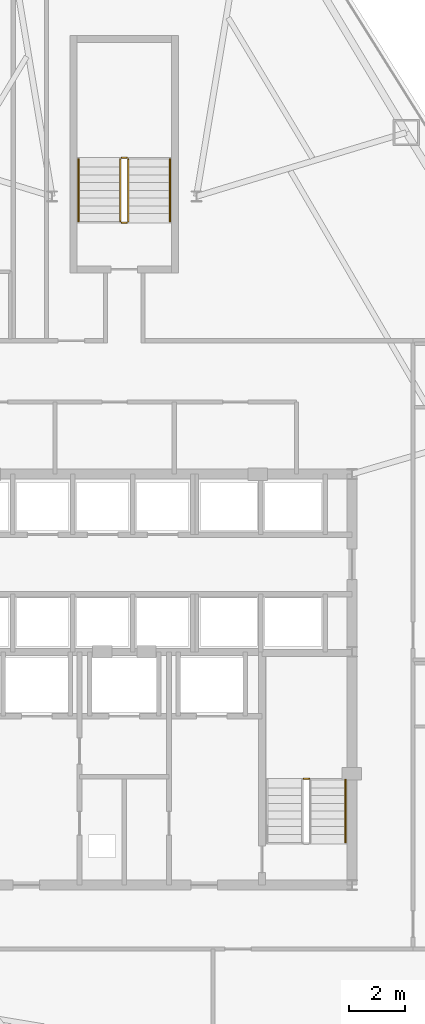
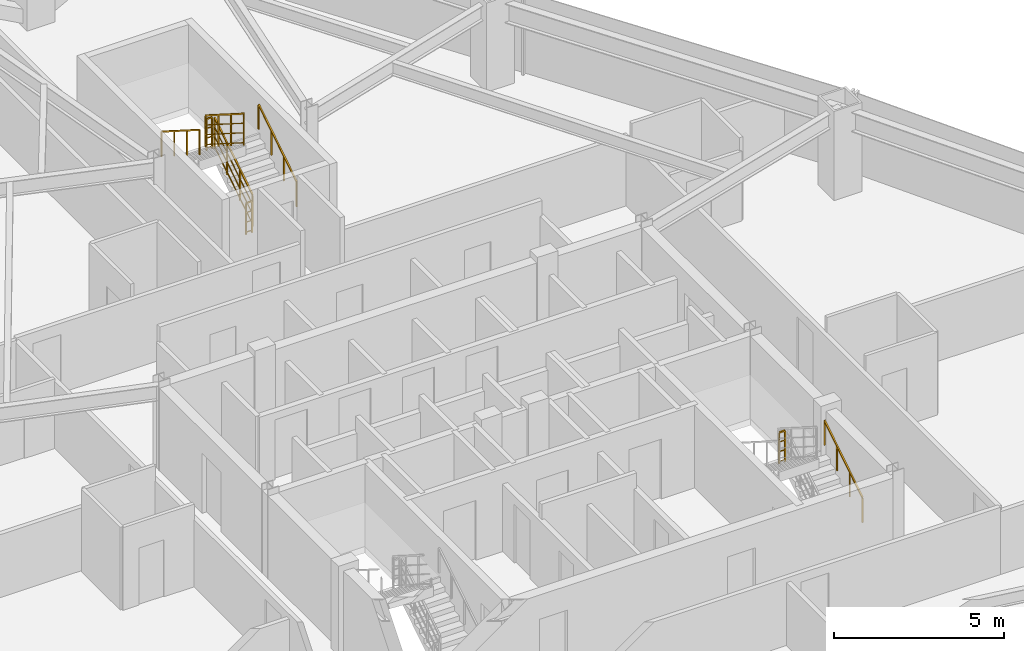
# One storey, part 13 of 13: 8 railings.
"""IFC4 building model written with IfcOpenShell, lengths in metres."""

from ifc_helpers import new_model, si_unit, direction, frame, origin, origin_2d, place, context, subcontext, project, spatial, rectangle, extrude, material, type_object, element, save


model = new_model("IFC4")

# Units and contexts
model_context = context("Model", 3, precision=1e-05, world=origin(), true_north=direction((0.0, 1.0)))
body_context = subcontext(model_context, "Body", "Model", "MODEL_VIEW")
ifc_project = project(units=[si_unit("LENGTHUNIT", "METRE"), si_unit("AREAUNIT", "SQUARE_METRE"), si_unit("VOLUMEUNIT", "CUBIC_METRE"), si_unit("PLANEANGLEUNIT", "RADIAN"), si_unit("MASSUNIT", "GRAM", prefix="KILO")], contexts=[model_context])

# Site, building, storey
site_placement = place(None, origin())
site = spatial("IfcSite", under=ifc_project, at=site_placement, CompositionType="ELEMENT")
building_placement = place(site_placement, origin())
building = spatial("IfcBuilding", under=site, at=building_placement, Name="Varakhsha Concourse Tower", CompositionType="ELEMENT")
storey_placement = place(building_placement, frame((0.0, 0.0, 95.800048828125)))
storey = spatial("IfcBuildingStorey", under=building, at=storey_placement, Name="L27", CompositionType="ELEMENT", Elevation=95.800048828125)

# Railings
ifc_material = material(Name="Brushed Austenitic Stainless Steel AISI 316", Category="steel")
railing_type_1 = type_object("IfcRailingType", Name="RL-STAIR-GUARD-1100", PredefinedType="GUARDRAIL", material=ifc_material)
railing_1_placement = place(storey_placement, frame((46.659912109375, 20.22998046875, 1.599853515625)))
element("IfcRailing", 1, at=railing_1_placement, inside=storey, type_object=railing_type_1, Name="L27 ST2 stair guard 2", PredefinedType="GUARDRAIL", context=body_context, shape_type="SweptSolid", body=[
    extrude(rectangle(XDim=0.048095703125, YDim=0.048095703125, at=origin_2d()), frame((0.0, 0.0, 1.1259765625), z_axis=(-1.0, 0.0, 0.0), x_axis=(0.0, -1.0, 0.0)), (0.0, 0.0, 1.0), 0.199951171875),
    extrude(rectangle(XDim=0.028076171875, YDim=0.028076171875, at=origin_2d()), frame((0.0, 0.0, 0.080078125), z_axis=(-1.0, 0.0, 0.0), x_axis=(0.0, -1.0, 0.0)), (0.0, 0.0, 1.0), 0.199951171875),
    extrude(rectangle(XDim=0.028076171875, YDim=0.028076171875, at=origin_2d()), frame((0.0, 0.0, 0.43701171875), z_axis=(-1.0, 0.0, 0.0), x_axis=(0.0, -1.0, 0.0)), (0.0, 0.0, 1.0), 0.199951171875),
    extrude(rectangle(XDim=0.028076171875, YDim=0.028076171875, at=origin_2d()), frame((0.0, 0.0, 0.781982421875), z_axis=(-1.0, 0.0, 0.0), x_axis=(0.0, -1.0, 0.0)), (0.0, 0.0, 1.0), 0.199951171875),
    extrude(rectangle(XDim=0.0419921875, YDim=0.0419921875, at=origin_2d()), origin(), (0.0, 0.0, 1.0), 1.101806640625),
    extrude(rectangle(XDim=0.0419921875, YDim=0.0419921875, at=origin_2d()), frame((-0.199951171875, 0.0, 0.0)), (0.0, 0.0, 1.0), 1.101806640625),
])
railing_2_placement = place(storey_placement, frame((40.14990234375, 40.300048828125, 0.177734375)))
element("IfcRailing", 2, at=railing_2_placement, inside=storey, type_object=railing_type_1, Name="L27 ST5 stair guard 1", PredefinedType="GUARDRAIL", context=body_context, shape_type="SweptSolid", body=[
    extrude(rectangle(XDim=0.048095703125, YDim=0.048095703125, at=origin_2d()), frame((0.0, 0.0, 1.1259765625), z_axis=(0.0, 0.8442293374, 0.53598211339), x_axis=(-1.0, 0.0, 0.0)), (0.0, 0.0, 1.0), 2.6533203125),
    extrude(rectangle(XDim=0.028076171875, YDim=0.028076171875, at=origin_2d()), frame((0.0, 0.0, 0.080078125), z_axis=(0.0, 0.8442293374, 0.53598211339), x_axis=(-1.0, 0.0, 0.0)), (0.0, 0.0, 1.0), 2.6533203125),
    extrude(rectangle(XDim=0.028076171875, YDim=0.028076171875, at=origin_2d()), frame((0.0, 0.0, 0.43701171875), z_axis=(0.0, 0.8442293374, 0.53598211339), x_axis=(-1.0, 0.0, 0.0)), (0.0, 0.0, 1.0), 2.6533203125),
    extrude(rectangle(XDim=0.028076171875, YDim=0.028076171875, at=origin_2d()), frame((0.0, 0.0, 0.781982421875), z_axis=(0.0, 0.8442293374, 0.53598211339), x_axis=(-1.0, 0.0, 0.0)), (0.0, 0.0, 1.0), 2.6533203125),
    extrude(rectangle(XDim=0.0419921875, YDim=0.0419921875, at=origin_2d()), origin(), (0.0, 0.0, 1.0), 1.101806640625),
    extrude(rectangle(XDim=0.0419921875, YDim=0.0419921875, at=origin_2d()), frame((0.0, 0.74658203125, 0.47412109375)), (0.0, 0.0, 1.0), 1.101806640625),
    extrude(rectangle(XDim=0.0419921875, YDim=0.0419921875, at=origin_2d()), frame((0.0, 1.493408203125, 0.947998046875)), (0.0, 0.0, 1.0), 1.101806640625),
    extrude(rectangle(XDim=0.0419921875, YDim=0.0419921875, at=origin_2d()), frame((0.0, 2.239990234375, 1.422119140625)), (0.0, 0.0, 1.0), 1.101806640625),
])
railing_3_placement = place(storey_placement, frame((40.10009765625, 42.590087890625, 1.599853515625)))
element("IfcRailing", 3, at=railing_3_placement, inside=storey, type_object=railing_type_1, Name="L27 ST5 stair guard 2", PredefinedType="GUARDRAIL", context=body_context, shape_type="SweptSolid", body=[
    extrude(rectangle(XDim=0.048095703125, YDim=0.048095703125, at=origin_2d()), frame((0.0, 0.0, 1.1259765625), z_axis=(-1.0, 0.0, 0.0), x_axis=(0.0, -1.0, 0.0)), (0.0, 0.0, 1.0), 0.2001953125),
    extrude(rectangle(XDim=0.028076171875, YDim=0.028076171875, at=origin_2d()), frame((0.0, 0.0, 0.080078125), z_axis=(-1.0, 0.0, 0.0), x_axis=(0.0, -1.0, 0.0)), (0.0, 0.0, 1.0), 0.2001953125),
    extrude(rectangle(XDim=0.028076171875, YDim=0.028076171875, at=origin_2d()), frame((0.0, 0.0, 0.43701171875), z_axis=(-1.0, 0.0, 0.0), x_axis=(0.0, -1.0, 0.0)), (0.0, 0.0, 1.0), 0.2001953125),
    extrude(rectangle(XDim=0.028076171875, YDim=0.028076171875, at=origin_2d()), frame((0.0, 0.0, 0.781982421875), z_axis=(-1.0, 0.0, 0.0), x_axis=(0.0, -1.0, 0.0)), (0.0, 0.0, 1.0), 0.2001953125),
    extrude(rectangle(XDim=0.0419921875, YDim=0.0419921875, at=origin_2d()), origin(), (0.0, 0.0, 1.0), 1.101806640625),
    extrude(rectangle(XDim=0.0419921875, YDim=0.0419921875, at=origin_2d()), frame((-0.2001953125, 0.0, 0.0)), (0.0, 0.0, 1.0), 1.101806640625),
])
railing_4_placement = place(storey_placement, frame((39.85009765625, 42.5400390625, 1.77783203125)))
element("IfcRailing", 4, at=railing_4_placement, inside=storey, type_object=railing_type_1, Name="L27 ST5 stair guard 3", PredefinedType="GUARDRAIL", context=body_context, shape_type="SweptSolid", body=[
    extrude(rectangle(XDim=0.048095703125, YDim=0.048095703125, at=origin_2d()), frame((0.0, 0.0, 1.1259765625), z_axis=(0.0, -0.8442293374, 0.53598211339), x_axis=(1.0, 0.0, 0.0)), (0.0, 0.0, 1.0), 2.6533203125),
    extrude(rectangle(XDim=0.028076171875, YDim=0.028076171875, at=origin_2d()), frame((0.0, 0.0, 0.080078125), z_axis=(0.0, -0.8442293374, 0.53598211339), x_axis=(1.0, 0.0, 0.0)), (0.0, 0.0, 1.0), 2.6533203125),
    extrude(rectangle(XDim=0.028076171875, YDim=0.028076171875, at=origin_2d()), frame((0.0, 0.0, 0.43701171875), z_axis=(0.0, -0.8442293374, 0.53598211339), x_axis=(1.0, 0.0, 0.0)), (0.0, 0.0, 1.0), 2.6533203125),
    extrude(rectangle(XDim=0.028076171875, YDim=0.028076171875, at=origin_2d()), frame((0.0, 0.0, 0.781982421875), z_axis=(0.0, -0.8442293374, 0.53598211339), x_axis=(1.0, 0.0, 0.0)), (0.0, 0.0, 1.0), 2.6533203125),
    extrude(rectangle(XDim=0.0419921875, YDim=0.0419921875, at=origin_2d()), origin(), (0.0, 0.0, 1.0), 1.101806640625),
    extrude(rectangle(XDim=0.0419921875, YDim=0.0419921875, at=origin_2d()), frame((0.0, -0.74658203125, 0.47412109375)), (0.0, 0.0, 1.0), 1.101806640625),
    extrude(rectangle(XDim=0.0419921875, YDim=0.0419921875, at=origin_2d()), frame((0.0, -1.493408203125, 0.947998046875)), (0.0, 0.0, 1.0), 1.101806640625),
    extrude(rectangle(XDim=0.0419921875, YDim=0.0419921875, at=origin_2d()), frame((0.0, -2.239990234375, 1.422119140625)), (0.0, 0.0, 1.0), 1.101806640625),
])
railing_5_placement = place(storey_placement, frame((40.10009765625, 40.25, 0.0)))
element("IfcRailing", 5, at=railing_5_placement, inside=storey, type_object=railing_type_1, Name="L27 ST5 stair guard 4", PredefinedType="GUARDRAIL", context=body_context, shape_type="SweptSolid", body=[
    extrude(rectangle(XDim=0.048095703125, YDim=0.048095703125, at=origin_2d()), frame((0.0, 0.0, 1.1259765625), z_axis=(-1.0, 0.0, 0.0), x_axis=(0.0, -1.0, 0.0)), (0.0, 0.0, 1.0), 0.2001953125),
    extrude(rectangle(XDim=0.028076171875, YDim=0.028076171875, at=origin_2d()), frame((0.0, 0.0, 0.080078125), z_axis=(-1.0, 0.0, 0.0), x_axis=(0.0, -1.0, 0.0)), (0.0, 0.0, 1.0), 0.2001953125),
    extrude(rectangle(XDim=0.028076171875, YDim=0.028076171875, at=origin_2d()), frame((0.0, 0.0, 0.43701171875), z_axis=(-1.0, 0.0, 0.0), x_axis=(0.0, -1.0, 0.0)), (0.0, 0.0, 1.0), 0.2001953125),
    extrude(rectangle(XDim=0.028076171875, YDim=0.028076171875, at=origin_2d()), frame((0.0, 0.0, 0.781982421875), z_axis=(-1.0, 0.0, 0.0), x_axis=(0.0, -1.0, 0.0)), (0.0, 0.0, 1.0), 0.2001953125),
    extrude(rectangle(XDim=0.0419921875, YDim=0.0419921875, at=origin_2d()), origin(), (0.0, 0.0, 1.0), 1.101806640625),
    extrude(rectangle(XDim=0.0419921875, YDim=0.0419921875, at=origin_2d()), frame((-0.2001953125, 0.0, 0.0)), (0.0, 0.0, 1.0), 1.101806640625),
])
railing_type_2 = type_object("IfcRailingType", Name="RL-STAIR-RAIL-915", PredefinedType="HANDRAIL", material=ifc_material)
for number, where, name in (
    (6, (47.969970703125, 17.93994140625, 0.35546875), "L27 ST2 stair handrail 1"),
    (7, (41.64990234375, 40.300048828125, 0.35546875), "L27 ST5 stair handrail 1"),
):
    element("IfcRailing", number, at=place(storey_placement, frame(where)), inside=storey, type_object=railing_type_2, Name=name, PredefinedType="HANDRAIL", context=body_context, shape_type="SweptSolid", body=[
        extrude(rectangle(XDim=0.048095703125, YDim=0.048095703125, at=origin_2d()), frame((0.0, 0.0, 0.89111328125), z_axis=(0.0, 0.84418770128, 0.536047689118), x_axis=(-1.0, 0.0, 0.0)), (0.0, 0.0, 1.0), 2.6533203125),
        extrude(rectangle(XDim=0.0419921875, YDim=0.0419921875, at=origin_2d()), origin(), (0.0, 0.0, 1.0), 0.866943359375),
        extrude(rectangle(XDim=0.0419921875, YDim=0.0419921875, at=origin_2d()), frame((0.0, 0.74658203125, 0.47412109375)), (0.0, 0.0, 1.0), 0.866943359375),
        extrude(rectangle(XDim=0.0419921875, YDim=0.0419921875, at=origin_2d()), frame((0.0, 1.493408203125, 0.9482421875)), (0.0, 0.0, 1.0), 0.866943359375),
        extrude(rectangle(XDim=0.0419921875, YDim=0.0419921875, at=origin_2d()), frame((0.0, 2.239990234375, 1.42236328125)), (0.0, 0.0, 1.0), 0.866943359375),
    ])
railing_6_placement = place(storey_placement, frame((38.35009765625, 42.5400390625, 1.95556640625)))
element("IfcRailing", 8, at=railing_6_placement, inside=storey, type_object=railing_type_2, Name="L27 ST5 stair handrail 2", PredefinedType="HANDRAIL", context=body_context, shape_type="SweptSolid", body=[
    extrude(rectangle(XDim=0.048095703125, YDim=0.048095703125, at=origin_2d()), frame((0.0, 0.0, 0.89111328125), z_axis=(0.0, -0.8442293374, 0.53598211339), x_axis=(1.0, 0.0, 0.0)), (0.0, 0.0, 1.0), 2.6533203125),
    extrude(rectangle(XDim=0.0419921875, YDim=0.0419921875, at=origin_2d()), origin(), (0.0, 0.0, 1.0), 0.866943359375),
    extrude(rectangle(XDim=0.0419921875, YDim=0.0419921875, at=origin_2d()), frame((0.0, -0.74658203125, 0.47412109375)), (0.0, 0.0, 1.0), 0.866943359375),
    extrude(rectangle(XDim=0.0419921875, YDim=0.0419921875, at=origin_2d()), frame((0.0, -1.493408203125, 0.947998046875)), (0.0, 0.0, 1.0), 0.866943359375),
    extrude(rectangle(XDim=0.0419921875, YDim=0.0419921875, at=origin_2d()), frame((0.0, -2.239990234375, 1.422119140625)), (0.0, 0.0, 1.0), 0.866943359375),
])

save(model, "model.ifc")
